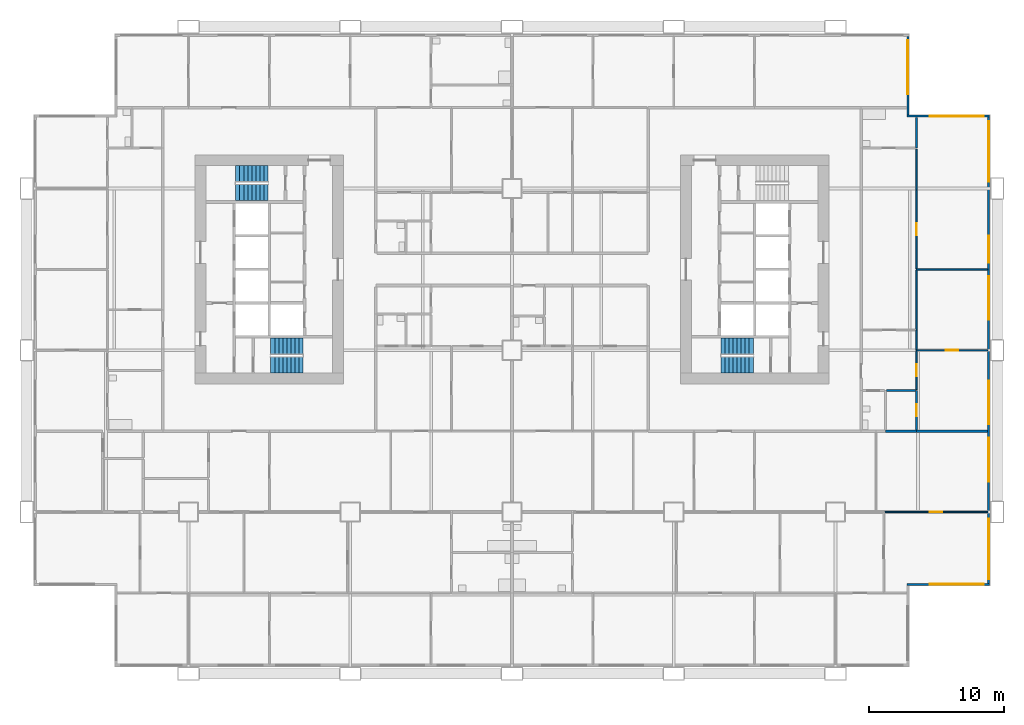
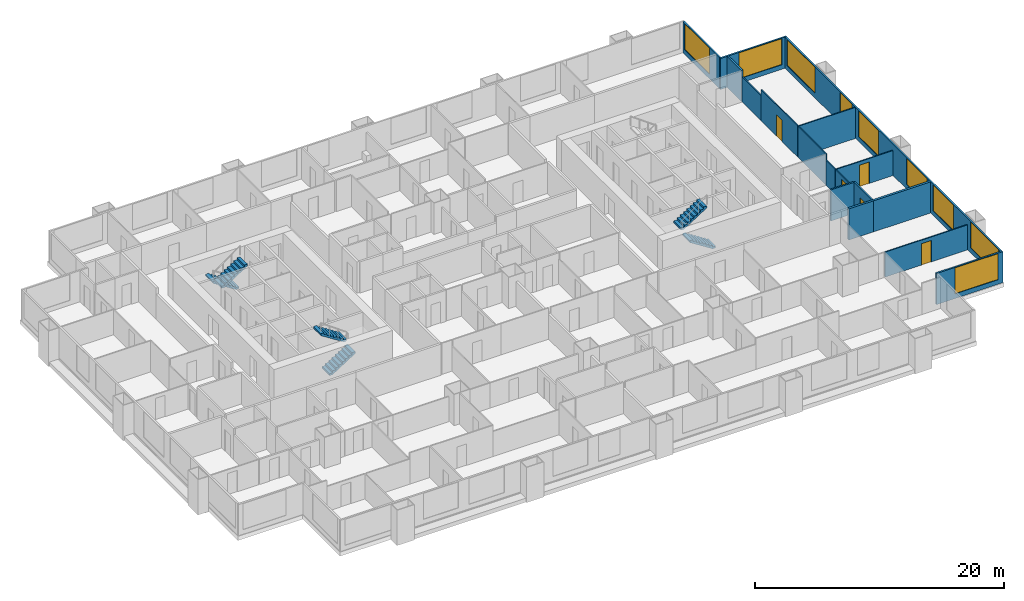
# One storey, part 11 of 14: 17 walls, 9 windows, 6 stair flights, 5 doors, 14 openings, 3 elements without a shape of their own.
"""IFC4 building model written with IfcOpenShell, lengths in metres."""

import ifcopenshell
import ifcopenshell.guid

model = None  # the IFC model being written
_history = None  # IfcOwnerHistory: only IFC2X3 demands one
_inside = {}  # id of a spatial element -> (the spatial element, [elements in it])
_under = {}  # id of a project, library or spatial element -> (it, [spatial elements below it])
_declared = {}  # id of a project -> (the project, [libraries it declares])
_typed = {}  # id of a type object -> (the type object, [elements of that type])
_made_of = {}  # id of a material, layer set ... -> (it, [elements and type objects made of it])


def new_model(schema):
    """Start an empty IFC model of exactly this schema.

    Asked for "IFC4X3", IfcOpenShell would pick the latest addendum, in which some entities
    have other attributes; the version numbers below select the first issue.
    IFC2X3 requires an IfcOwnerHistory on every rooted entity: one is made here for all.
    """
    global model, _history
    if schema == "IFC4X3":
        model = ifcopenshell.file(schema_version=(4, 3, 0, 0))
    else:
        model = ifcopenshell.file(schema=schema)
    _inside.clear()
    _under.clear()
    _declared.clear()
    _typed.clear()
    _made_of.clear()
    _history = None
    if model.schema == "IFC2X3":
        org = make("IfcOrganization", Name="unknown")
        user = make(
            "IfcPersonAndOrganization",
            ThePerson=make("IfcPerson", FamilyName="unknown"),
            TheOrganization=org,
        )
        app = make(
            "IfcApplication",
            ApplicationDeveloper=org,
            Version="unknown",
            ApplicationFullName="unknown",
            ApplicationIdentifier="unknown",
        )
        _history = make(
            "IfcOwnerHistory",
            OwningUser=user,
            OwningApplication=app,
            ChangeAction="ADDED",
            CreationDate=0,
        )
    return model


def make(cls, **values):
    """One entity of the class cls with the attributes given. An attribute that is None is left unset."""
    return model.create_entity(
        cls, **{name: value for name, value in values.items() if value is not None}
    )


def rooted(cls, **values):
    """An entity with a GlobalId (a new one), such as an element, a storey or a relation."""
    return make(cls, GlobalId=ifcopenshell.guid.new(), OwnerHistory=_history, **values)


def si_unit(unit_type, name, prefix=None):
    """IfcSIUnit, for example si_unit("LENGTHUNIT", "METRE", prefix="MILLI")."""
    return make("IfcSIUnit", UnitType=unit_type, Prefix=prefix, Name=name)


def assignment(units):
    """IfcUnitAssignment: the units of a project."""
    return None if units is None else make("IfcUnitAssignment", Units=units)


def point(xyz):
    """IfcCartesianPoint."""
    return None if xyz is None else make("IfcCartesianPoint", Coordinates=xyz)


def direction(xyz):
    """IfcDirection."""
    return None if xyz is None else make("IfcDirection", DirectionRatios=xyz)


def frame(location, z_axis=None, x_axis=None):
    """IfcAxis2Placement3D, a coordinate frame: its origin and axes. An axis left out is left unset."""
    return make(
        "IfcAxis2Placement3D",
        Location=point(location),
        Axis=direction(z_axis),
        RefDirection=direction(x_axis),
    )


def frame_2d(location, x_axis=None):
    """IfcAxis2Placement2D, a coordinate frame in the plane: its origin and x axis."""
    return make(
        "IfcAxis2Placement2D", Location=point(location), RefDirection=direction(x_axis)
    )


def origin():
    """The frame at (0, 0, 0) with its axes left unset."""
    return frame((0.0, 0.0, 0.0))


def place(relative_to, where):
    """IfcLocalPlacement: puts the frame where relative to a parent placement (None: the world)."""
    return make(
        "IfcLocalPlacement", PlacementRelTo=relative_to, RelativePlacement=where
    )


def context(
    kind, dimensions, precision=None, world=None, true_north=None, identifier=None
):
    """IfcGeometricRepresentationContext, for example the 3D "Model" context."""
    return make(
        "IfcGeometricRepresentationContext",
        ContextIdentifier=identifier,
        ContextType=kind,
        CoordinateSpaceDimension=dimensions,
        Precision=precision,
        WorldCoordinateSystem=world,
        TrueNorth=true_north,
    )


def subcontext(parent, identifier, kind, view, scale=None):
    """IfcGeometricRepresentationSubContext, for example "Body" below "Model"."""
    return make(
        "IfcGeometricRepresentationSubContext",
        ContextIdentifier=identifier,
        ContextType=kind,
        ParentContext=parent,
        TargetScale=scale,
        TargetView=view,
    )


def project(units=None, contexts=None):
    """IfcProject with its units and contexts."""
    return rooted(
        "IfcProject",
        Name="project",
        RepresentationContexts=contexts,
        UnitsInContext=assignment(units),
    )


def spatial(cls, under=None, at=None, **own):
    """A site, building, storey or space (cls), placed at a placement, below another one or the project."""
    s = rooted(cls, ObjectPlacement=at, **own)
    if under is not None:
        _under.setdefault(under.id(), (under, []))[1].append(s)
    return s


def polyline(points):
    """IfcPolyline through the points."""
    return make("IfcPolyline", Points=[point(p) for p in points])


def profile(cls, at=None, kind="AREA", **sizes):
    """A parametric profile (cls). Its sizes go by their IFC names, for example OverallWidth=200.0."""
    return make(cls, ProfileType=kind, Position=at, **sizes)


def rectangle(**sizes):
    """IfcRectangleProfileDef."""
    return profile("IfcRectangleProfileDef", **sizes)


def outline(outer, holes=None, kind="AREA"):
    """IfcArbitraryClosedProfileDef: a profile drawn as a closed curve; with holes, ...WithVoids."""
    if holes is None:
        return make("IfcArbitraryClosedProfileDef", ProfileType=kind, OuterCurve=outer)
    return make(
        "IfcArbitraryProfileDefWithVoids",
        ProfileType=kind,
        OuterCurve=outer,
        InnerCurves=holes,
    )


def extrude(swept, where, along, depth):
    """IfcExtrudedAreaSolid: the profile swept, set in the frame where, extruded along a direction by depth."""
    return make(
        "IfcExtrudedAreaSolid",
        SweptArea=swept,
        Position=where,
        ExtrudedDirection=direction(along),
        Depth=depth,
    )


def shape(context_of_items, identifier, shape_type, items):
    """IfcShapeRepresentation: the items that make up one representation, for example the "Body"."""
    return make(
        "IfcShapeRepresentation",
        ContextOfItems=context_of_items,
        RepresentationIdentifier=identifier,
        RepresentationType=shape_type,
        Items=items,
    )


def material(Name=None, Category=None):
    """IfcMaterial."""
    return make("IfcMaterial", Name=Name, Category=Category)


def layer(
    of_material, thickness, ventilated=None, Name=None, Category=None, Priority=None
):
    """IfcMaterialLayer: one layer of a wall or slab, of a material (None: an air gap)."""
    return make(
        "IfcMaterialLayer",
        Material=of_material,
        LayerThickness=thickness,
        IsVentilated=ventilated,
        Name=Name,
        Category=Category,
        Priority=Priority,
    )


def layer_set(layers, Name=None):
    """IfcMaterialLayerSet."""
    return make("IfcMaterialLayerSet", MaterialLayers=layers, LayerSetName=Name)


def made_of(thing, what):
    """Note that an element or type object is made of a material, layer set ...; save() writes the relation."""
    if what is not None:
        _made_of.setdefault(what.id(), (what, []))[1].append(thing)
    return thing


def type_object(cls, material=None, **own):
    """A type object (cls), such as IfcWallType, which elements share."""
    return made_of(rooted(cls, **own), material)


def element(
    cls,
    number,
    at=None,
    inside=None,
    cuts=None,
    type_object=None,
    material=None,
    context=None,
    identifier="Body",
    shape_type=None,
    held_by="IfcProductDefinitionShape",
    body=None,
    shapes=None,
    **own,
):
    """One element of the class cls, such as IfcWall. Its Tag is "e" and its number.

    at: its placement. inside: the storey or other place that contains it. cuts: it is an
    opening in that element (IfcRelVoidsElement). A single representation is given by context,
    identifier, shape_type and body (its items); several are given by shapes. held_by: the class
    of the entity that holds the representations. save() writes the other relations.
    """
    e = rooted(cls, Tag="e%d" % number, ObjectPlacement=at, **own)
    if body is not None:
        shapes = [shape(context, identifier, shape_type, body)]
    if shapes is not None:
        e.Representation = make(held_by, Representations=shapes)
    if inside is not None:
        _inside.setdefault(inside.id(), (inside, []))[1].append(e)
    if cuts is not None:
        rooted(
            "IfcRelVoidsElement", RelatingBuildingElement=cuts, RelatedOpeningElement=e
        )
    if type_object is not None:
        _typed.setdefault(type_object.id(), (type_object, []))[1].append(e)
    return made_of(e, material)


def fill(opening, filler):
    """IfcRelFillsElement: the door or window that sits in an opening."""
    return rooted(
        "IfcRelFillsElement",
        RelatingOpeningElement=opening,
        RelatedBuildingElement=filler,
    )


def aggregate(whole, parts):
    """IfcRelAggregates: a whole, such as a stair, and the parts it consists of."""
    return rooted("IfcRelAggregates", RelatingObject=whole, RelatedObjects=parts)


def save(model, path):
    """Write the relations noted so far, then the file.

    IfcRelAggregates (storeys below a building ...), IfcRelContainedInSpatialStructure (elements
    in a storey), IfcRelDefinesByType, IfcRelAssociatesMaterial and IfcRelDeclares: one each for
    every whole, place, type object, material and project.
    """
    for whole, parts in _under.values():
        aggregate(whole, parts)
    for where, things in _inside.values():
        rooted(
            "IfcRelContainedInSpatialStructure",
            RelatedElements=things,
            RelatingStructure=where,
        )
    for kind, things in _typed.values():
        rooted("IfcRelDefinesByType", RelatedObjects=things, RelatingType=kind)
    for what, things in _made_of.values():
        rooted("IfcRelAssociatesMaterial", RelatedObjects=things, RelatingMaterial=what)
    for by, libraries in _declared.values():
        rooted("IfcRelDeclares", RelatingContext=by, RelatedDefinitions=libraries)
    model.write(path)


model = new_model("IFC4")

# Units and contexts
model_context = context("Model", 3, precision=1e-05, world=origin(), true_north=direction((0.0, 1.0)))
body_context = subcontext(model_context, "Body", "Model", "MODEL_VIEW")
ifc_project = project(units=[si_unit("LENGTHUNIT", "METRE"), si_unit("AREAUNIT", "SQUARE_METRE"), si_unit("VOLUMEUNIT", "CUBIC_METRE"), si_unit("PLANEANGLEUNIT", "RADIAN"), si_unit("MASSUNIT", "GRAM", prefix="KILO")], contexts=[model_context])

# Site, building, storey
site_placement = place(None, origin())
site = spatial("IfcSite", under=ifc_project, at=site_placement, CompositionType="ELEMENT")
building_placement = place(site_placement, origin())
building = spatial("IfcBuilding", under=site, at=building_placement, Name="Kitamizu Gate Tower and Museum", CompositionType="ELEMENT")
storey_placement = place(building_placement, frame((0.0, 0.0, 67.949951171875)))
storey = spatial("IfcBuildingStorey", under=building, at=storey_placement, Name="L16", CompositionType="ELEMENT", Elevation=67.949951171875)

# Wall, opening, door
ifc_material_1 = material(Name="Gypsum board on galvanised stud")
ifc_layer_1 = layer(ifc_material_1, 0.10009765625)
ifc_layer_set_1 = layer_set([ifc_layer_1], Name="Gypsum board on galvanised stud")
wall_type_1 = type_object("IfcWallType", Name="Partition 100 NOT RATED", PredefinedType="PARTITIONING", material=ifc_layer_set_1)
wall_1_placement = place(storey_placement, frame((71.280029296875, 12.0, 0.0), z_axis=(0.0, 0.0, 1.0), x_axis=(-1.0, 0.0, 0.0)))
wall_1 = element("IfcWall", 1, at=wall_1_placement, inside=storey, type_object=wall_type_1, Name="Partition L16-098", PredefinedType="PARTITIONING", context=body_context, shape_type="SweptSolid", body=[
    extrude(rectangle(XDim=7.64501953125, YDim=0.10009765625, at=frame_2d((3.822509765625, 0.0))), origin(), (0.0, 0.0, 1.0), 2.449951171875),
])
opening_1_placement = place(wall_1_placement, frame((3.37255859375, 0.0, 0.0)))
opening_1 = element("IfcOpeningElement", 2, at=opening_1_placement, cuts=wall_1, Name="Opening L16-040", PredefinedType="OPENING", context=body_context, shape_type="SweptSolid", body=[
    extrude(rectangle(XDim=0.89990234375, YDim=2.10009765625, at=frame_2d((0.449951171875, 1.050048828125))), frame((0.0, 0.06005859375, 0.0), z_axis=(0.0, -1.0, 0.0), x_axis=(1.0, 0.0, 0.0)), (0.0, 0.0, 1.0), 0.1201171875),
])
ifc_material_2 = material(Name="Timber door set", Category="wood")
door_type_1 = type_object("IfcDoorType", Name="Room door 900", OperationType="NOTDEFINED", PredefinedType="DOOR", material=ifc_material_2)
door_1_placement = place(opening_1_placement, origin())
door_1 = element("IfcDoor", 3, at=door_1_placement, inside=storey, type_object=door_type_1, Name="Door L16-040", OperationType="SINGLE_SWING_LEFT", OverallHeight=2.10009765625, OverallWidth=0.89990234375, PredefinedType="DOOR", context=body_context, shape_type="SweptSolid", body=[
    extrude(rectangle(XDim=0.89990234375, YDim=2.10009765625, at=frame_2d((0.449951171875, 1.050048828125))), frame((0.0, 0.02490234375, 0.0), z_axis=(0.0, -1.0, 0.0), x_axis=(1.0, 0.0, 0.0)), (0.0, 0.0, 1.0), 0.050048828125),
])
fill(opening_1, door_1)

wall_2_placement = place(storey_placement, frame((71.280029296875, 24.0, 0.0), z_axis=(0.0, 0.0, 1.0), x_axis=(-1.0, 0.0, 0.0)))
wall_2 = element("IfcWall", 4, at=wall_2_placement, inside=storey, type_object=wall_type_1, Name="Partition L16-207", PredefinedType="PARTITIONING", context=body_context, shape_type="SweptSolid", body=[
    extrude(rectangle(XDim=5.280029296875, YDim=0.10009765625, at=frame_2d((2.64013671875, 0.0))), origin(), (0.0, 0.0, 1.0), 2.449951171875),
])
opening_2_placement = place(wall_2_placement, frame((2.18994140625, 0.0, 0.0)))
opening_2 = element("IfcOpeningElement", 5, at=opening_2_placement, cuts=wall_2, Name="Opening L16-081", PredefinedType="OPENING", context=body_context, shape_type="SweptSolid", body=[
    extrude(rectangle(XDim=0.89990234375, YDim=2.10009765625, at=frame_2d((0.449951171875, 1.050048828125))), frame((0.0, 0.06005859375, 0.0), z_axis=(0.0, -1.0, 0.0), x_axis=(1.0, 0.0, 0.0)), (0.0, 0.0, 1.0), 0.1201171875),
])
door_2_placement = place(opening_2_placement, origin())
door_2 = element("IfcDoor", 6, at=door_2_placement, inside=storey, type_object=door_type_1, Name="Door L16-081", OperationType="SINGLE_SWING_RIGHT", OverallHeight=2.10009765625, OverallWidth=0.89990234375, PredefinedType="DOOR", context=body_context, shape_type="SweptSolid", body=[
    extrude(rectangle(XDim=0.89990234375, YDim=2.10009765625, at=frame_2d((0.449951171875, 1.050048828125))), frame((0.0, 0.02490234375, 0.0), z_axis=(0.0, -1.0, 0.0), x_axis=(1.0, 0.0, 0.0)), (0.0, 0.0, 1.0), 0.050048828125),
])
fill(opening_2, door_2)

wall_3_placement = place(storey_placement, frame((66.0, 23.949951171875, 0.0), z_axis=(0.0, 0.0, 1.0), x_axis=(0.0, -1.0, 0.0)))
wall_3 = element("IfcWall", 7, at=wall_3_placement, inside=storey, type_object=wall_type_1, Name="Partition L16-209", PredefinedType="PARTITIONING", context=body_context, shape_type="SweptSolid", body=[
    extrude(rectangle(XDim=2.875, YDim=0.10009765625, at=frame_2d((1.4375, 0.0))), origin(), (0.0, 0.0, 1.0), 2.449951171875),
])
opening_3_placement = place(wall_3_placement, frame((0.987548828125, 0.0, 0.0)))
opening_3 = element("IfcOpeningElement", 8, at=opening_3_placement, cuts=wall_3, Name="Opening L16-078", PredefinedType="OPENING", context=body_context, shape_type="SweptSolid", body=[
    extrude(rectangle(XDim=0.89990234375, YDim=2.10009765625, at=frame_2d((0.449951171875, 1.050048828125))), frame((0.0, 0.06005859375, 0.0), z_axis=(0.0, -1.0, 0.0), x_axis=(1.0, 0.0, 0.0)), (0.0, 0.0, 1.0), 0.1201171875),
])
door_3_placement = place(opening_3_placement, origin())
door_3 = element("IfcDoor", 9, at=door_3_placement, inside=storey, type_object=door_type_1, Name="Door L16-078", OperationType="SINGLE_SWING_RIGHT", OverallHeight=2.10009765625, OverallWidth=0.89990234375, PredefinedType="DOOR", context=body_context, shape_type="SweptSolid", body=[
    extrude(rectangle(XDim=0.89990234375, YDim=2.10009765625, at=frame_2d((0.449951171875, 1.050048828125))), frame((0.0, 0.02490234375, 0.0), z_axis=(0.0, -1.0, 0.0), x_axis=(1.0, 0.0, 0.0)), (0.0, 0.0, 1.0), 0.050048828125),
])
fill(opening_3, door_3)

# Walls
wall_4_placement = place(storey_placement, frame((71.280029296875, 30.0, 0.0), z_axis=(0.0, 0.0, 1.0), x_axis=(-1.0, 0.0, 0.0)))
element("IfcWall", 10, at=wall_4_placement, inside=storey, type_object=wall_type_1, Name="Partition L16-210", PredefinedType="PARTITIONING", context=body_context, shape_type="SweptSolid", body=[
    extrude(rectangle(XDim=5.280029296875, YDim=0.10009765625, at=frame_2d((2.64013671875, 0.0))), origin(), (0.0, 0.0, 1.0), 3.050048828125),
])
wall_5_placement = place(storey_placement, frame((66.0, 25.5, 0.0), z_axis=(0.0, 0.0, 1.0), x_axis=(0.0, -1.0, 0.0)))
element("IfcWall", 11, at=wall_5_placement, inside=storey, type_object=wall_type_1, Name="Partition L16-211", PredefinedType="PARTITIONING", context=body_context, shape_type="SweptSolid", body=[
    extrude(rectangle(XDim=1.449951171875, YDim=0.10009765625, at=frame_2d((0.72509765625, 0.0))), origin(), (0.0, 0.0, 1.0), 2.449951171875),
])
wall_6_placement = place(storey_placement, frame((66.0, 29.949951171875, 0.0), z_axis=(0.0, 0.0, 1.0), x_axis=(0.0, -1.0, 0.0)))
element("IfcWall", 12, at=wall_6_placement, inside=storey, type_object=wall_type_1, Name="Partition L16-212", PredefinedType="PARTITIONING", context=body_context, shape_type="SweptSolid", body=[
    extrude(rectangle(XDim=4.449951171875, YDim=0.10009765625, at=frame_2d((2.22509765625, 0.0))), origin(), (0.0, 0.0, 1.0), 3.050048828125),
])
wall_7_placement = place(storey_placement, frame((66.0, 38.925048828125, 0.0), z_axis=(0.0, 0.0, 1.0), x_axis=(0.0, -1.0, 0.0)))
element("IfcWall", 13, at=wall_7_placement, inside=storey, type_object=wall_type_1, Name="Partition L16-213", PredefinedType="PARTITIONING", context=body_context, shape_type="SweptSolid", body=[
    extrude(rectangle(XDim=3.025146484375, YDim=0.10009765625, at=frame_2d((1.5126953125, 0.0))), origin(), (0.0, 0.0, 1.0), 2.449951171875),
])

# Wall, opening, door
wall_8_placement = place(storey_placement, frame((66.0, 35.89990234375, 0.0), z_axis=(0.0, 0.0, 1.0), x_axis=(0.0, -1.0, 0.0)))
wall_8 = element("IfcWall", 14, at=wall_8_placement, inside=storey, type_object=wall_type_1, Name="Partition L16-214", PredefinedType="PARTITIONING", context=body_context, shape_type="SweptSolid", body=[
    extrude(rectangle(XDim=5.849853515625, YDim=0.10009765625, at=frame_2d((2.9248046875, 0.0))), origin(), (0.0, 0.0, 1.0), 3.050048828125),
])
opening_4_placement = place(wall_8_placement, frame((2.47509765625, 0.0, 0.0)))
opening_4 = element("IfcOpeningElement", 15, at=opening_4_placement, cuts=wall_8, Name="Opening L16-080", PredefinedType="OPENING", context=body_context, shape_type="SweptSolid", body=[
    extrude(rectangle(XDim=0.89990234375, YDim=2.10009765625, at=frame_2d((0.449951171875, 1.050048828125))), frame((0.0, 0.06005859375, 0.0), z_axis=(0.0, -1.0, 0.0), x_axis=(1.0, 0.0, 0.0)), (0.0, 0.0, 1.0), 0.1201171875),
])
door_4_placement = place(opening_4_placement, origin())
door_4 = element("IfcDoor", 16, at=door_4_placement, inside=storey, type_object=door_type_1, Name="Door L16-080", OperationType="SINGLE_SWING_LEFT", OverallHeight=2.10009765625, OverallWidth=0.89990234375, PredefinedType="DOOR", context=body_context, shape_type="SweptSolid", body=[
    extrude(rectangle(XDim=0.89990234375, YDim=2.10009765625, at=frame_2d((0.449951171875, 1.050048828125))), frame((0.0, 0.02490234375, 0.0), z_axis=(0.0, -1.0, 0.0), x_axis=(1.0, 0.0, 0.0)), (0.0, 0.0, 1.0), 0.050048828125),
])
fill(opening_4, door_4)

ifc_material_3 = material(Name="Gypsum board on galvanised stud")
ifc_layer_2 = layer(ifc_material_3, 0.14990234375)
ifc_layer_set_2 = layer_set([ifc_layer_2], Name="Gypsum board on galvanised stud")
wall_type_2 = type_object("IfcWallType", Name="Partition 150", PredefinedType="PARTITIONING", material=ifc_layer_set_2)
wall_9_placement = place(storey_placement, frame((66.0, 21.0, 0.0), z_axis=(0.0, 0.0, 1.0), x_axis=(0.0, -1.0, 0.0)))
wall_9 = element("IfcWall", 17, at=wall_9_placement, inside=storey, type_object=wall_type_2, Name="Partition L16-208", PredefinedType="PARTITIONING", context=body_context, shape_type="SweptSolid", body=[
    extrude(rectangle(XDim=2.89990234375, YDim=0.14990234375, at=frame_2d((1.449951171875, 0.0))), origin(), (0.0, 0.0, 1.0), 3.050048828125),
])
opening_5_placement = place(wall_9_placement, frame((1.0, 0.0, 0.0)))
opening_5 = element("IfcOpeningElement", 18, at=opening_5_placement, cuts=wall_9, Name="Opening L16-083", PredefinedType="OPENING", context=body_context, shape_type="SweptSolid", body=[
    extrude(rectangle(XDim=0.89990234375, YDim=2.10009765625, at=frame_2d((0.449951171875, 1.050048828125))), frame((0.0, 0.0849609375, 0.0), z_axis=(0.0, -1.0, 0.0), x_axis=(1.0, 0.0, 0.0)), (0.0, 0.0, 1.0), 0.169921875),
])
ifc_material_4 = material(Name="Timber door set", Category="wood")
door_type_2 = type_object("IfcDoorType", Name="Bathroom door 900", OperationType="NOTDEFINED", PredefinedType="DOOR", material=ifc_material_4)
door_5_placement = place(opening_5_placement, frame((0.89990234375, 0.0, 0.0), x_axis=(-1.0, 0.0, 0.0)))
door_5 = element("IfcDoor", 19, at=door_5_placement, inside=storey, type_object=door_type_2, Name="Bathroom door L16-083", OperationType="SINGLE_SWING_LEFT", OverallHeight=2.10009765625, OverallWidth=0.89990234375, PredefinedType="DOOR", context=body_context, shape_type="SweptSolid", body=[
    extrude(rectangle(XDim=0.89990234375, YDim=2.10009765625, at=frame_2d((0.449951171875, 1.050048828125))), frame((0.0, 0.02490234375, 0.0), z_axis=(0.0, -1.0, 0.0), x_axis=(1.0, 0.0, 0.0)), (0.0, 0.0, 1.0), 0.050048828125),
])
fill(opening_5, door_5)

# Walls
wall_10_placement = place(storey_placement, frame((66.0, 41.280029296875, 0.0), z_axis=(0.0, 0.0, 1.0), x_axis=(0.0, -1.0, 0.0)))
element("IfcWall", 20, at=wall_10_placement, inside=storey, type_object=wall_type_2, Name="Partition L16-215", PredefinedType="PARTITIONING", context=body_context, shape_type="SweptSolid", body=[
    extrude(rectangle(XDim=2.280029296875, YDim=0.14990234375, at=frame_2d((1.14013671875, 0.0))), origin(), (0.0, 0.0, 1.0), 3.050048828125),
])
wall_11_placement = place(storey_placement, frame((65.925048828125, 21.0, 0.0), z_axis=(0.0, 0.0, 1.0), x_axis=(-1.0, 0.0, 0.0)))
element("IfcWall", 21, at=wall_11_placement, inside=storey, type_object=wall_type_2, Name="Partition L16-219", PredefinedType="PARTITIONING", context=body_context, shape_type="SweptSolid", body=[
    extrude(rectangle(XDim=2.150146484375, YDim=0.14990234375, at=frame_2d((1.0751953125, 0.0))), origin(), (0.0, 0.0, 1.0), 3.050048828125),
])
ifc_material_5 = material(Name="Gypsum board on galvanised stud")
ifc_layer_3 = layer(ifc_material_5, 0.199951171875)
ifc_layer_set_3 = layer_set([ifc_layer_3], Name="Gypsum board on galvanised stud")
wall_type_3 = type_object("IfcWallType", Name="Partition 200", PredefinedType="PARTITIONING", material=ifc_layer_set_3)
wall_12_placement = place(storey_placement, frame((71.280029296875, 18.0, 0.0), z_axis=(0.0, 0.0, 1.0), x_axis=(-1.0, 0.0, 0.0)))
element("IfcWall", 22, at=wall_12_placement, inside=storey, type_object=wall_type_3, Name="Partition L16-112", PredefinedType="PARTITIONING", context=body_context, shape_type="SweptSolid", body=[
    extrude(rectangle(XDim=5.280029296875, YDim=0.199951171875, at=frame_2d((2.64013671875, 0.0))), origin(), (0.0, 0.0, 1.0), 3.050048828125),
])
wall_13_placement = place(storey_placement, frame((66.0, 18.0, 0.0), z_axis=(0.0, 0.0, 1.0), x_axis=(-1.0, 0.0, 0.0)))
element("IfcWall", 23, at=wall_13_placement, inside=storey, type_object=wall_type_3, Name="Partition L16-114", PredefinedType="PARTITIONING", context=body_context, shape_type="SweptSolid", body=[
    extrude(rectangle(XDim=2.300048828125, YDim=0.199951171875, at=frame_2d((1.14990234375, 0.0))), origin(), (0.0, 0.0, 1.0), 3.050048828125),
])

# Wall, opening, window
ifc_material_6 = material(Name="Bronze anodised aluminium frame with insulated spandrel and tinted glass", Category="aluminium")
ifc_layer_4 = layer(ifc_material_6, 0.14990234375)
ifc_layer_set_4 = layer_set([ifc_layer_4], Name="Bronze anodised aluminium frame with insulated spandrel and tinted glass")
wall_type_4 = type_object("IfcWallType", Name="WINDOW WALL 150 BRONZE FRAME EI 30", PredefinedType="ELEMENTEDWALL", material=ifc_layer_set_4)
wall_14_placement = place(storey_placement, frame((65.2900390625, 6.635009765625, 0.0), z_axis=(0.0, 0.0, 1.0), x_axis=(1.0, 0.0, 0.0)))
wall_14 = element("IfcWall", 24, at=wall_14_placement, inside=storey, type_object=wall_type_4, Name="Window wall south L16", PredefinedType="ELEMENTEDWALL", context=body_context, shape_type="SweptSolid", body=[
    extrude(rectangle(XDim=6.14990234375, YDim=0.14990234375, at=frame_2d((3.074951171875, 0.0))), origin(), (0.0, 0.0, 1.0), 3.050048828125),
])
opening_6_placement = place(wall_14_placement, frame((1.7099609375, 0.0, 0.449951171875)))
opening_6 = element("IfcOpeningElement", 25, at=opening_6_placement, cuts=wall_14, Name="Opening W16", PredefinedType="OPENING", context=body_context, shape_type="SweptSolid", body=[
    extrude(rectangle(XDim=4.0, YDim=2.550048828125, at=frame_2d((2.0, 1.27490234375))), frame((0.0, 0.0849609375, 0.0), z_axis=(0.0, -1.0, 0.0), x_axis=(1.0, 0.0, 0.0)), (0.0, 0.0, 1.0), 0.169921875),
])
ifc_material_7 = material(Name="Bronze anodised aluminium frame, tinted triple glazing", Category="aluminium")
window_type_1 = type_object("IfcWindowType", Name="WINDOW 4000 x 2550 SILL 450", PartitioningType="SINGLE_PANEL", PredefinedType="WINDOW", material=ifc_material_7)
window_1_placement = place(opening_6_placement, origin())
window_1 = element("IfcWindow", 26, at=window_1_placement, inside=storey, type_object=window_type_1, Name="Window W16 L16", OverallHeight=2.550048828125, OverallWidth=4.0, PartitioningType="SINGLE_PANEL", PredefinedType="WINDOW", context=body_context, shape_type="SweptSolid", body=[
    extrude(rectangle(XDim=4.0, YDim=2.550048828125, at=frame_2d((2.0, 1.27490234375))), frame((0.0, 0.030029296875, 0.0), z_axis=(0.0, -1.0, 0.0), x_axis=(1.0, 0.0, 0.0)), (0.0, 0.0, 1.0), 0.06005859375),
])
fill(opening_6, window_1)

# Wall, openings, windows
wall_15_placement = place(storey_placement, frame((71.364990234375, 6.7099609375, 0.0), z_axis=(0.0, 0.0, 1.0), x_axis=(0.0, 1.0, 0.0)))
wall_15 = element("IfcWall", 27, at=wall_15_placement, inside=storey, type_object=wall_type_4, Name="Window wall east L16", PredefinedType="ELEMENTEDWALL", context=body_context, shape_type="SweptSolid", body=[
    extrude(rectangle(XDim=34.580078125, YDim=0.14990234375, at=frame_2d((17.2900390625, 0.0))), origin(), (0.0, 0.0, 1.0), 3.050048828125),
])
opening_7_placement = place(wall_15_placement, frame((0.2900390625, 0.0, 0.449951171875)))
opening_7 = element("IfcOpeningElement", 28, at=opening_7_placement, cuts=wall_15, Name="Opening W15", PredefinedType="OPENING", context=body_context, shape_type="SweptSolid", body=[
    extrude(rectangle(XDim=4.5, YDim=2.550048828125, at=frame_2d((2.25, 1.27490234375))), frame((0.0, 0.0849609375, 0.0), z_axis=(0.0, -1.0, 0.0), x_axis=(1.0, 0.0, 0.0)), (0.0, 0.0, 1.0), 0.169921875),
])
opening_8_placement = place(wall_15_placement, frame((7.5400390625, 0.0, 0.449951171875)))
opening_8 = element("IfcOpeningElement", 29, at=opening_8_placement, cuts=wall_15, Name="Opening W34", PredefinedType="OPENING", context=body_context, shape_type="SweptSolid", body=[
    extrude(rectangle(XDim=3.25, YDim=2.550048828125, at=frame_2d((1.625, 1.27490234375))), frame((0.0, 0.0849609375, 0.0), z_axis=(0.0, -1.0, 0.0), x_axis=(1.0, 0.0, 0.0)), (0.0, 0.0, 1.0), 0.169921875),
])
opening_9_placement = place(wall_15_placement, frame((11.7900390625, 0.0, 0.449951171875)))
opening_9 = element("IfcOpeningElement", 30, at=opening_9_placement, cuts=wall_15, Name="Opening W34", PredefinedType="OPENING", context=body_context, shape_type="SweptSolid", body=[
    extrude(rectangle(XDim=3.25, YDim=2.550048828125, at=frame_2d((1.625, 1.27490234375))), frame((0.0, 0.0849609375, 0.0), z_axis=(0.0, -1.0, 0.0), x_axis=(1.0, 0.0, 0.0)), (0.0, 0.0, 1.0), 0.169921875),
])
opening_10_placement = place(wall_15_placement, frame((19.5400390625, 0.0, 0.449951171875)))
opening_10 = element("IfcOpeningElement", 31, at=opening_10_placement, cuts=wall_15, Name="Opening W34", PredefinedType="OPENING", context=body_context, shape_type="SweptSolid", body=[
    extrude(rectangle(XDim=3.25, YDim=2.550048828125, at=frame_2d((1.625, 1.27490234375))), frame((0.0, 0.0849609375, 0.0), z_axis=(0.0, -1.0, 0.0), x_axis=(1.0, 0.0, 0.0)), (0.0, 0.0, 1.0), 0.169921875),
])
opening_11_placement = place(wall_15_placement, frame((23.7900390625, 0.0, 0.449951171875)))
opening_11 = element("IfcOpeningElement", 32, at=opening_11_placement, cuts=wall_15, Name="Opening W2", PredefinedType="OPENING", context=body_context, shape_type="SweptSolid", body=[
    extrude(rectangle(XDim=2.0, YDim=2.550048828125, at=frame_2d((1.0, 1.27490234375))), frame((0.0, 0.0849609375, 0.0), z_axis=(0.0, -1.0, 0.0), x_axis=(1.0, 0.0, 0.0)), (0.0, 0.0, 1.0), 0.169921875),
])
opening_12_placement = place(wall_15_placement, frame((29.7900390625, 0.0, 0.449951171875)))
opening_12 = element("IfcOpeningElement", 33, at=opening_12_placement, cuts=wall_15, Name="Opening W15", PredefinedType="OPENING", context=body_context, shape_type="SweptSolid", body=[
    extrude(rectangle(XDim=4.5, YDim=2.550048828125, at=frame_2d((2.25, 1.27490234375))), frame((0.0, 0.0849609375, 0.0), z_axis=(0.0, -1.0, 0.0), x_axis=(1.0, 0.0, 0.0)), (0.0, 0.0, 1.0), 0.169921875),
])
ifc_material_8 = material(Name="Bronze anodised aluminium frame, tinted triple glazing", Category="aluminium")
window_type_2 = type_object("IfcWindowType", Name="WINDOW 2000 x 2550 SILL 450", PartitioningType="SINGLE_PANEL", PredefinedType="WINDOW", material=ifc_material_8)
window_2_placement = place(opening_11_placement, origin())
window_2 = element("IfcWindow", 34, at=window_2_placement, inside=storey, type_object=window_type_2, Name="Window W2 L16", OverallHeight=2.550048828125, OverallWidth=2.0, PartitioningType="SINGLE_PANEL", PredefinedType="WINDOW", context=body_context, shape_type="SweptSolid", body=[
    extrude(rectangle(XDim=2.0, YDim=2.550048828125, at=frame_2d((1.0, 1.27490234375))), frame((0.0, 0.030029296875, 0.0), z_axis=(0.0, -1.0, 0.0), x_axis=(1.0, 0.0, 0.0)), (0.0, 0.0, 1.0), 0.06005859375),
])
fill(opening_11, window_2)
ifc_material_9 = material(Name="Bronze anodised aluminium frame, tinted triple glazing", Category="aluminium")
window_type_3 = type_object("IfcWindowType", Name="WINDOW 3250 x 2550 SILL 450", PartitioningType="SINGLE_PANEL", PredefinedType="WINDOW", material=ifc_material_9)
window_3_placement = place(opening_8_placement, origin())
window_3 = element("IfcWindow", 35, at=window_3_placement, inside=storey, type_object=window_type_3, Name="Window W34 L16", OverallHeight=2.550048828125, OverallWidth=3.25, PartitioningType="SINGLE_PANEL", PredefinedType="WINDOW", context=body_context, shape_type="SweptSolid", body=[
    extrude(rectangle(XDim=3.25, YDim=2.550048828125, at=frame_2d((1.625, 1.27490234375))), frame((0.0, 0.030029296875, 0.0), z_axis=(0.0, -1.0, 0.0), x_axis=(1.0, 0.0, 0.0)), (0.0, 0.0, 1.0), 0.06005859375),
])
fill(opening_8, window_3)
window_4_placement = place(opening_9_placement, origin())
window_4 = element("IfcWindow", 36, at=window_4_placement, inside=storey, type_object=window_type_3, Name="Window W34 L16", OverallHeight=2.550048828125, OverallWidth=3.25, PartitioningType="SINGLE_PANEL", PredefinedType="WINDOW", context=body_context, shape_type="SweptSolid", body=[
    extrude(rectangle(XDim=3.25, YDim=2.550048828125, at=frame_2d((1.625, 1.27490234375))), frame((0.0, 0.030029296875, 0.0), z_axis=(0.0, -1.0, 0.0), x_axis=(1.0, 0.0, 0.0)), (0.0, 0.0, 1.0), 0.06005859375),
])
fill(opening_9, window_4)
window_5_placement = place(opening_10_placement, origin())
window_5 = element("IfcWindow", 37, at=window_5_placement, inside=storey, type_object=window_type_3, Name="Window W34 L16", OverallHeight=2.550048828125, OverallWidth=3.25, PartitioningType="SINGLE_PANEL", PredefinedType="WINDOW", context=body_context, shape_type="SweptSolid", body=[
    extrude(rectangle(XDim=3.25, YDim=2.550048828125, at=frame_2d((1.625, 1.27490234375))), frame((0.0, 0.030029296875, 0.0), z_axis=(0.0, -1.0, 0.0), x_axis=(1.0, 0.0, 0.0)), (0.0, 0.0, 1.0), 0.06005859375),
])
fill(opening_10, window_5)
ifc_material_10 = material(Name="Bronze anodised aluminium frame, tinted triple glazing", Category="aluminium")
window_type_4 = type_object("IfcWindowType", Name="WINDOW 4500 x 2550 SILL 450", PartitioningType="SINGLE_PANEL", PredefinedType="WINDOW", material=ifc_material_10)
window_6_placement = place(opening_7_placement, origin())
window_6 = element("IfcWindow", 38, at=window_6_placement, inside=storey, type_object=window_type_4, Name="Window W15 L16", OverallHeight=2.550048828125, OverallWidth=4.5, PartitioningType="SINGLE_PANEL", PredefinedType="WINDOW", context=body_context, shape_type="SweptSolid", body=[
    extrude(rectangle(XDim=4.5, YDim=2.550048828125, at=frame_2d((2.25, 1.27490234375))), frame((0.0, 0.030029296875, 0.0), z_axis=(0.0, -1.0, 0.0), x_axis=(1.0, 0.0, 0.0)), (0.0, 0.0, 1.0), 0.06005859375),
])
fill(opening_7, window_6)
window_7_placement = place(opening_12_placement, origin())
window_7 = element("IfcWindow", 39, at=window_7_placement, inside=storey, type_object=window_type_4, Name="Window W15 L16", OverallHeight=2.550048828125, OverallWidth=4.5, PartitioningType="SINGLE_PANEL", PredefinedType="WINDOW", context=body_context, shape_type="SweptSolid", body=[
    extrude(rectangle(XDim=4.5, YDim=2.550048828125, at=frame_2d((2.25, 1.27490234375))), frame((0.0, 0.030029296875, 0.0), z_axis=(0.0, -1.0, 0.0), x_axis=(1.0, 0.0, 0.0)), (0.0, 0.0, 1.0), 0.06005859375),
])
fill(opening_12, window_7)

# Wall, opening, window
wall_16_placement = place(storey_placement, frame((65.2900390625, 41.364990234375, 0.0), z_axis=(0.0, 0.0, 1.0), x_axis=(1.0, 0.0, 0.0)))
wall_16 = element("IfcWall", 40, at=wall_16_placement, inside=storey, type_object=wall_type_4, Name="Window wall north L16", PredefinedType="ELEMENTEDWALL", context=body_context, shape_type="SweptSolid", body=[
    extrude(rectangle(XDim=6.14990234375, YDim=0.14990234375, at=frame_2d((3.074951171875, 0.0))), origin(), (0.0, 0.0, 1.0), 3.050048828125),
])
opening_13_placement = place(wall_16_placement, frame((1.7099609375, 0.0, 0.449951171875)))
opening_13 = element("IfcOpeningElement", 41, at=opening_13_placement, cuts=wall_16, Name="Opening W16", PredefinedType="OPENING", context=body_context, shape_type="SweptSolid", body=[
    extrude(rectangle(XDim=4.0, YDim=2.550048828125, at=frame_2d((2.0, 1.27490234375))), frame((0.0, 0.0849609375, 0.0), z_axis=(0.0, -1.0, 0.0), x_axis=(1.0, 0.0, 0.0)), (0.0, 0.0, 1.0), 0.169921875),
])
window_8_placement = place(opening_13_placement, origin())
window_8 = element("IfcWindow", 42, at=window_8_placement, inside=storey, type_object=window_type_1, Name="Window W16 L16", OverallHeight=2.550048828125, OverallWidth=4.0, PartitioningType="SINGLE_PANEL", PredefinedType="WINDOW", context=body_context, shape_type="SweptSolid", body=[
    extrude(rectangle(XDim=4.0, YDim=2.550048828125, at=frame_2d((2.0, 1.27490234375))), frame((0.0, 0.030029296875, 0.0), z_axis=(0.0, -1.0, 0.0), x_axis=(1.0, 0.0, 0.0)), (0.0, 0.0, 1.0), 0.06005859375),
])
fill(opening_13, window_8)

wall_17_placement = place(storey_placement, frame((65.364990234375, 41.43994140625, 0.0), z_axis=(0.0, 0.0, 1.0), x_axis=(0.0, 1.0, 0.0)))
wall_17 = element("IfcWall", 43, at=wall_17_placement, inside=storey, type_object=wall_type_4, Name="Window wall east L16", PredefinedType="ELEMENTEDWALL", context=body_context, shape_type="SweptSolid", body=[
    extrude(rectangle(XDim=5.85009765625, YDim=0.14990234375, at=frame_2d((2.925048828125, 0.0))), origin(), (0.0, 0.0, 1.0), 3.050048828125),
])
opening_14_placement = place(wall_17_placement, frame((1.56005859375, 0.0, 0.449951171875)))
opening_14 = element("IfcOpeningElement", 44, at=opening_14_placement, cuts=wall_17, Name="Opening W16", PredefinedType="OPENING", context=body_context, shape_type="SweptSolid", body=[
    extrude(rectangle(XDim=4.0, YDim=2.550048828125, at=frame_2d((2.0, 1.27490234375))), frame((0.0, 0.0849609375, 0.0), z_axis=(0.0, -1.0, 0.0), x_axis=(1.0, 0.0, 0.0)), (0.0, 0.0, 1.0), 0.169921875),
])
window_9_placement = place(opening_14_placement, origin())
window_9 = element("IfcWindow", 45, at=window_9_placement, inside=storey, type_object=window_type_1, Name="Window W16 L16", OverallHeight=2.550048828125, OverallWidth=4.0, PartitioningType="SINGLE_PANEL", PredefinedType="WINDOW", context=body_context, shape_type="SweptSolid", body=[
    extrude(rectangle(XDim=4.0, YDim=2.550048828125, at=frame_2d((2.0, 1.27490234375))), frame((0.0, 0.030029296875, 0.0), z_axis=(0.0, -1.0, 0.0), x_axis=(1.0, 0.0, 0.0)), (0.0, 0.0, 1.0), 0.06005859375),
])
fill(opening_14, window_9)

# Stair, stair flights
ifc_material_11 = material(Name="Concrete Fc42", Category="concrete")
stair_type = type_object("IfcStairType", Name="Exit stair 1200 wide 192 rise 300 going", PredefinedType="HALF_TURN_STAIR", material=ifc_material_11)
stair_1_placement = place(storey_placement, origin())
stair_1 = element("IfcStair", 46, at=stair_1_placement, inside=storey, type_object=stair_type, Name="Exit stair ST1", PredefinedType="HALF_TURN_STAIR")
ifc_material_12 = material(Name="Concrete Fc42", Category="concrete")
stair_flight_type = type_object("IfcStairFlightType", Name="Stair flight 1200 wide 192 rise 300 going", PredefinedType="STRAIGHT", material=ifc_material_12)
stair_flight_1_placement = place(storey_placement, frame((18.10009765625, 22.89990234375, 0.0), z_axis=(0.0, 0.0, 1.0), x_axis=(1.0, 0.0, 0.0)))
stair_flight_1 = element("IfcStairFlight", 47, at=stair_flight_1_placement, type_object=stair_flight_type, Name="ST1 flight 1", NumberOfRisers=9, NumberOfTreads=8, PredefinedType="STRAIGHT", RiserHeight=0.191666667, TreadLength=0.3, context=body_context, shape_type="SweptSolid", body=[
    extrude(outline(polyline([(0.0, 0.0), (0.0, 0.191650390625), (0.300048828125, 0.191650390625), (0.300048828125, 0.38330078125), (0.60009765625, 0.38330078125), (0.60009765625, 0.574951171875), (0.89990234375, 0.574951171875), (0.89990234375, 0.7666015625), (1.199951171875, 0.7666015625), (1.199951171875, 0.958251953125), (1.5, 0.958251953125), (1.5, 1.14990234375), (1.800048828125, 1.14990234375), (1.800048828125, 1.341552734375), (2.10009765625, 1.341552734375), (2.10009765625, 1.533447265625), (2.39990234375, 1.533447265625), (2.39990234375, 1.72509765625), (2.39990234375, 1.35546875), (0.2783203125, 0.0), (0.0, 0.0)])), frame((0.0, 0.60009765625, 0.0), z_axis=(0.0, -1.0, 0.0), x_axis=(1.0, 0.0, 0.0)), (0.0, 0.0, 1.0), 1.199951171875),
])
stair_flight_2_placement = place(storey_placement, frame((20.5, 24.300048828125, 1.72509765625), z_axis=(0.0, 0.0, 1.0), x_axis=(-1.0, 0.0, 0.0)))
stair_flight_2 = element("IfcStairFlight", 48, at=stair_flight_2_placement, type_object=stair_flight_type, Name="ST1 flight 2", NumberOfRisers=9, NumberOfTreads=8, PredefinedType="STRAIGHT", RiserHeight=0.191666667, TreadLength=0.3, context=body_context, shape_type="SweptSolid", body=[
    extrude(outline(polyline([(0.0, 0.0), (0.0, 0.191650390625), (0.300048828125, 0.191650390625), (0.300048828125, 0.38330078125), (0.60009765625, 0.38330078125), (0.60009765625, 0.574951171875), (0.89990234375, 0.574951171875), (0.89990234375, 0.7666015625), (1.199951171875, 0.7666015625), (1.199951171875, 0.958251953125), (1.5, 0.958251953125), (1.5, 1.14990234375), (1.800048828125, 1.14990234375), (1.800048828125, 1.341552734375), (2.10009765625, 1.341552734375), (2.10009765625, 1.533447265625), (2.39990234375, 1.533447265625), (2.39990234375, 1.72509765625), (2.39990234375, 1.35546875), (0.2783203125, 0.0), (0.0, 0.0)])), frame((0.0, 0.60009765625, 0.0), z_axis=(0.0, -1.0, 0.0), x_axis=(1.0, 0.0, 0.0)), (0.0, 0.0, 1.0), 1.199951171875),
])
aggregate(stair_1, [stair_flight_1, stair_flight_2])

stair_2_placement = place(storey_placement, origin())
stair_2 = element("IfcStair", 49, at=stair_2_placement, inside=storey, type_object=stair_type, Name="Exit stair ST2", PredefinedType="HALF_TURN_STAIR")
stair_flight_3_placement = place(storey_placement, frame((17.89990234375, 37.10009765625, 0.0), z_axis=(0.0, 0.0, 1.0), x_axis=(-1.0, 0.0, 0.0)))
stair_flight_3 = element("IfcStairFlight", 50, at=stair_flight_3_placement, type_object=stair_flight_type, Name="ST2 flight 1", NumberOfRisers=9, NumberOfTreads=8, PredefinedType="STRAIGHT", RiserHeight=0.191666667, TreadLength=0.3, context=body_context, shape_type="SweptSolid", body=[
    extrude(outline(polyline([(0.0, 0.0), (0.0, 0.191650390625), (0.300048828125, 0.191650390625), (0.300048828125, 0.38330078125), (0.60009765625, 0.38330078125), (0.60009765625, 0.574951171875), (0.89990234375, 0.574951171875), (0.89990234375, 0.7666015625), (1.199951171875, 0.7666015625), (1.199951171875, 0.958251953125), (1.5, 0.958251953125), (1.5, 1.14990234375), (1.800048828125, 1.14990234375), (1.800048828125, 1.341552734375), (2.10009765625, 1.341552734375), (2.10009765625, 1.533447265625), (2.39990234375, 1.533447265625), (2.39990234375, 1.72509765625), (2.39990234375, 1.35546875), (0.2783203125, 0.0), (0.0, 0.0)])), frame((0.0, 0.60009765625, 0.0), z_axis=(0.0, -1.0, 0.0), x_axis=(1.0, 0.0, 0.0)), (0.0, 0.0, 1.0), 1.199951171875),
])
stair_flight_4_placement = place(storey_placement, frame((15.5, 35.699951171875, 1.72509765625), z_axis=(0.0, 0.0, 1.0), x_axis=(1.0, 0.0, 0.0)))
stair_flight_4 = element("IfcStairFlight", 51, at=stair_flight_4_placement, type_object=stair_flight_type, Name="ST2 flight 2", NumberOfRisers=9, NumberOfTreads=8, PredefinedType="STRAIGHT", RiserHeight=0.191666667, TreadLength=0.3, context=body_context, shape_type="SweptSolid", body=[
    extrude(outline(polyline([(0.0, 0.0), (0.0, 0.191650390625), (0.300048828125, 0.191650390625), (0.300048828125, 0.38330078125), (0.60009765625, 0.38330078125), (0.60009765625, 0.574951171875), (0.89990234375, 0.574951171875), (0.89990234375, 0.7666015625), (1.199951171875, 0.7666015625), (1.199951171875, 0.958251953125), (1.5, 0.958251953125), (1.5, 1.14990234375), (1.800048828125, 1.14990234375), (1.800048828125, 1.341552734375), (2.10009765625, 1.341552734375), (2.10009765625, 1.533447265625), (2.39990234375, 1.533447265625), (2.39990234375, 1.72509765625), (2.39990234375, 1.35546875), (0.2783203125, 0.0), (0.0, 0.0)])), frame((0.0, 0.60009765625, 0.0), z_axis=(0.0, -1.0, 0.0), x_axis=(1.0, 0.0, 0.0)), (0.0, 0.0, 1.0), 1.199951171875),
])
aggregate(stair_2, [stair_flight_3, stair_flight_4])

stair_3_placement = place(storey_placement, origin())
stair_3 = element("IfcStair", 52, at=stair_3_placement, inside=storey, type_object=stair_type, Name="Exit stair ST3", PredefinedType="HALF_TURN_STAIR")
stair_flight_5_placement = place(storey_placement, frame((53.89990234375, 22.89990234375, 0.0), z_axis=(0.0, 0.0, 1.0), x_axis=(-1.0, 0.0, 0.0)))
stair_flight_5 = element("IfcStairFlight", 53, at=stair_flight_5_placement, type_object=stair_flight_type, Name="ST3 flight 1", NumberOfRisers=9, NumberOfTreads=8, PredefinedType="STRAIGHT", RiserHeight=0.191666667, TreadLength=0.3, context=body_context, shape_type="SweptSolid", body=[
    extrude(outline(polyline([(0.0, 0.0), (0.0, 0.191650390625), (0.300048828125, 0.191650390625), (0.300048828125, 0.38330078125), (0.60009765625, 0.38330078125), (0.60009765625, 0.574951171875), (0.89990234375, 0.574951171875), (0.89990234375, 0.7666015625), (1.199951171875, 0.7666015625), (1.199951171875, 0.958251953125), (1.5, 0.958251953125), (1.5, 1.14990234375), (1.800048828125, 1.14990234375), (1.800048828125, 1.341552734375), (2.10009765625, 1.341552734375), (2.10009765625, 1.533447265625), (2.39990234375, 1.533447265625), (2.39990234375, 1.72509765625), (2.39990234375, 1.35546875), (0.2783203125, 0.0), (0.0, 0.0)])), frame((0.0, 0.60009765625, 0.0), z_axis=(0.0, -1.0, 0.0), x_axis=(1.0, 0.0, 0.0)), (0.0, 0.0, 1.0), 1.199951171875),
])
stair_flight_6_placement = place(storey_placement, frame((51.5, 24.300048828125, 1.72509765625), z_axis=(0.0, 0.0, 1.0), x_axis=(1.0, 0.0, 0.0)))
stair_flight_6 = element("IfcStairFlight", 54, at=stair_flight_6_placement, type_object=stair_flight_type, Name="ST3 flight 2", NumberOfRisers=9, NumberOfTreads=8, PredefinedType="STRAIGHT", RiserHeight=0.191666667, TreadLength=0.3, context=body_context, shape_type="SweptSolid", body=[
    extrude(outline(polyline([(0.0, 0.0), (0.0, 0.191650390625), (0.300048828125, 0.191650390625), (0.300048828125, 0.38330078125), (0.60009765625, 0.38330078125), (0.60009765625, 0.574951171875), (0.89990234375, 0.574951171875), (0.89990234375, 0.7666015625), (1.199951171875, 0.7666015625), (1.199951171875, 0.958251953125), (1.5, 0.958251953125), (1.5, 1.14990234375), (1.800048828125, 1.14990234375), (1.800048828125, 1.341552734375), (2.10009765625, 1.341552734375), (2.10009765625, 1.533447265625), (2.39990234375, 1.533447265625), (2.39990234375, 1.72509765625), (2.39990234375, 1.35546875), (0.2783203125, 0.0), (0.0, 0.0)])), frame((0.0, 0.60009765625, 0.0), z_axis=(0.0, -1.0, 0.0), x_axis=(1.0, 0.0, 0.0)), (0.0, 0.0, 1.0), 1.199951171875),
])
aggregate(stair_3, [stair_flight_5, stair_flight_6])

save(model, "model.ifc")
